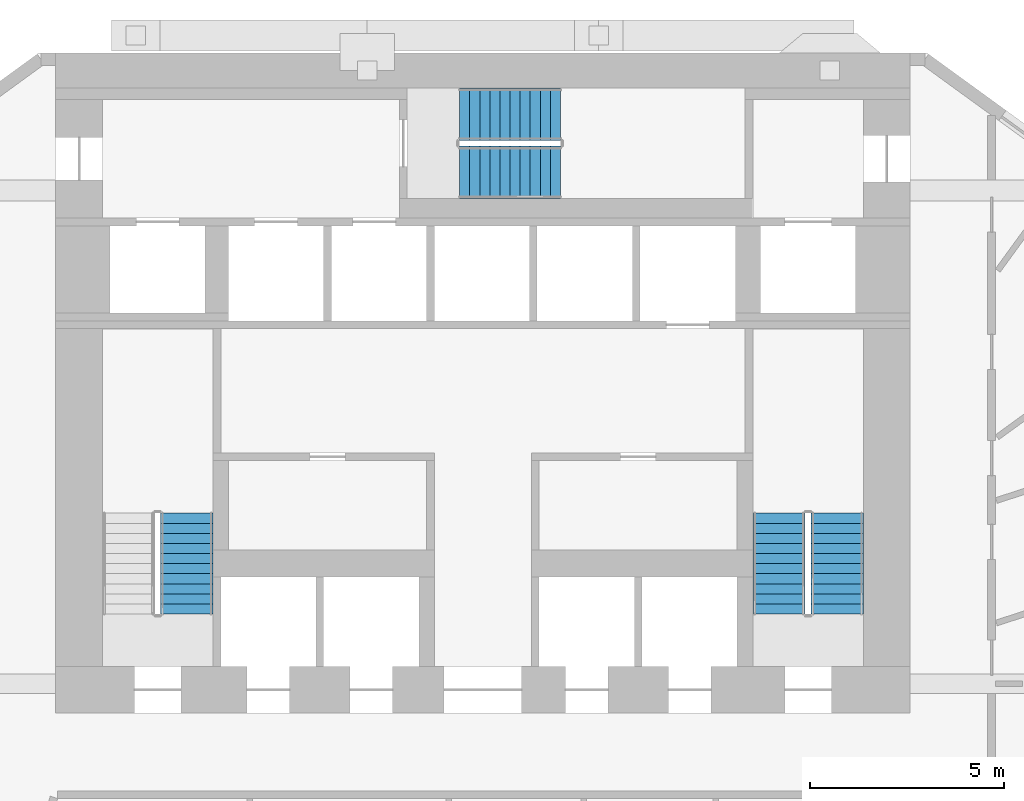
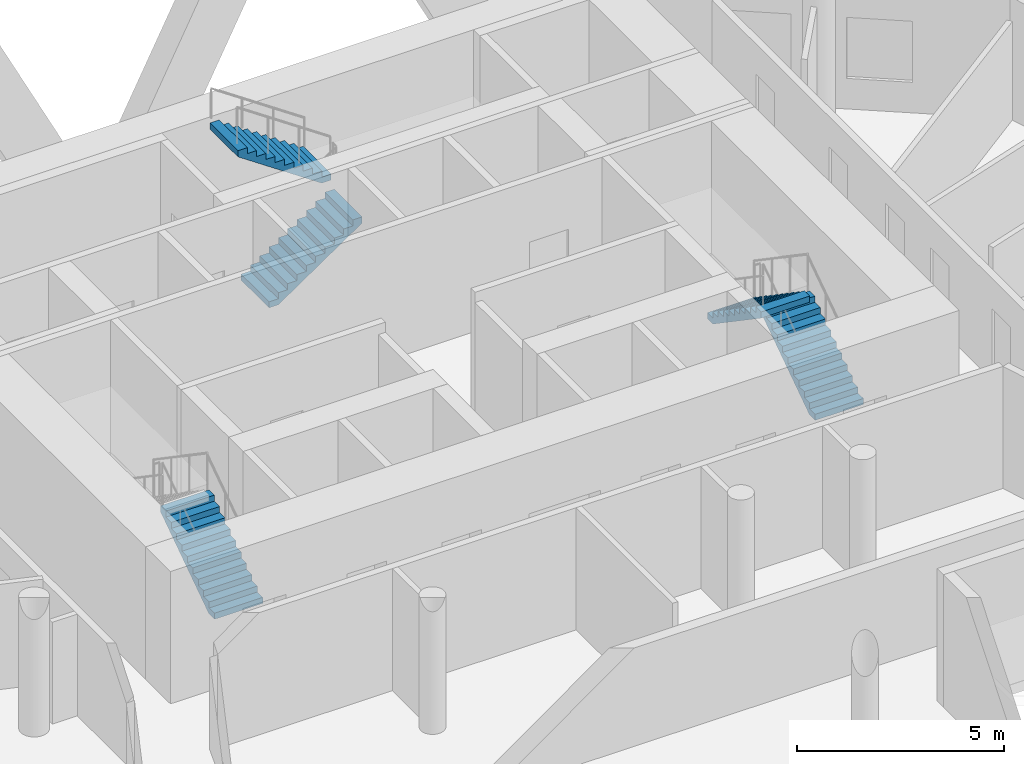
# One storey, part 8 of 10: 5 stair flights, 3 elements without a shape of their own.
"""IFC4 building model written with IfcOpenShell, lengths in metres."""

from ifc_helpers import new_model, si_unit, direction, frame, origin, place, context, subcontext, project, spatial, polyline, outline, extrude, material, layer, layer_set, type_object, element, aggregate, save


model = new_model("IFC4")

# Units and contexts
model_context = context("Model", 3, precision=1e-05, world=origin(), true_north=direction((0.0, 1.0)))
body_context = subcontext(model_context, "Body", "Model", "MODEL_VIEW")
ifc_project = project(units=[si_unit("LENGTHUNIT", "METRE"), si_unit("AREAUNIT", "SQUARE_METRE"), si_unit("VOLUMEUNIT", "CUBIC_METRE"), si_unit("PLANEANGLEUNIT", "RADIAN"), si_unit("MASSUNIT", "GRAM", prefix="KILO")], contexts=[model_context])

# Site, building, storey
site_placement = place(None, origin())
site = spatial("IfcSite", under=ifc_project, at=site_placement, CompositionType="ELEMENT")
building_placement = place(site_placement, origin())
building = spatial("IfcBuilding", under=site, at=building_placement, Name="White Candle Pilgrim Tower", CompositionType="ELEMENT")
storey_placement = place(building_placement, frame((0.0, 0.0, 66.300048828125)))
storey = spatial("IfcBuildingStorey", under=building, at=storey_placement, Name="L13", CompositionType="ELEMENT", Elevation=66.300048828125)

# Stair, stair flight
ifc_material = material(Name="Concrete C40/50", Category="concrete")
stair_type_1 = type_object("IfcStairType", Name="Exit stair 1 flight width 1350 mm", PredefinedType="HALF_TURN_STAIR", material=ifc_material)
stair_1_placement = place(storey_placement, origin())
stair_1 = element("IfcStair", 1, at=stair_1_placement, inside=storey, type_object=stair_type_1, Name="L13 stair 1", PredefinedType="NOTDEFINED")
ifc_layer = layer(ifc_material, 0.14990234375)
ifc_layer_set = layer_set([ifc_layer], Name="Stair flight Concrete C40/50")
stair_flight_type = type_object("IfcStairFlightType", Name="Stair flight Concrete C40/50", PredefinedType="STRAIGHT", material=ifc_layer_set)
stair_flight_1_placement = place(storey_placement, frame((62.375, 73.550048828125, 0.0), z_axis=(0.0, 0.0, 1.0), x_axis=(0.0, 1.0, 0.0)))
stair_flight_1 = element("IfcStairFlight", 2, at=stair_flight_1_placement, type_object=stair_flight_type, Name="ST1 flight 1", NumberOfRisers=11, NumberOfTreads=10, PredefinedType="NOTDEFINED", RiserHeight=0.177272727, TreadLength=0.26, context=body_context, shape_type="SweptSolid", body=[
    extrude(outline(polyline([(0.0, 0.0), (0.0, 0.17724609375), (0.260009765625, 0.17724609375), (0.260009765625, 0.3544921875), (0.52001953125, 0.3544921875), (0.52001953125, 0.53173828125), (0.780029296875, 0.53173828125), (0.780029296875, 0.708984375), (1.0400390625, 0.708984375), (1.0400390625, 0.886474609375), (1.300048828125, 0.886474609375), (1.300048828125, 1.063720703125), (1.56005859375, 1.063720703125), (1.56005859375, 1.240966796875), (1.820068359375, 1.240966796875), (1.820068359375, 1.418212890625), (2.080078125, 1.418212890625), (2.080078125, 1.595458984375), (2.340087890625, 1.595458984375), (2.340087890625, 1.772705078125), (2.60009765625, 1.772705078125), (2.60009765625, 1.949951171875), (2.60009765625, 1.59130859375), (0.26611328125, 0.0), (0.0, 0.0)])), frame((0.0, 0.675048828125, 0.0), z_axis=(0.0, -1.0, 0.0), x_axis=(1.0, 0.0, 0.0)), (0.0, 0.0, 1.0), 1.35009765625),
])
aggregate(stair_1, [stair_flight_1])

# Stair, stair flights
stair_type_2 = type_object("IfcStairType", Name="Exit stair 2 flight width 1350 mm", PredefinedType="HALF_TURN_STAIR", material=ifc_material)
stair_2_placement = place(storey_placement, origin())
stair_2 = element("IfcStair", 3, at=stair_2_placement, inside=storey, type_object=stair_type_2, Name="L13 stair 2", PredefinedType="NOTDEFINED")
stair_flight_2_placement = place(storey_placement, frame((79.125, 73.550048828125, 0.0), z_axis=(0.0, 0.0, 1.0), x_axis=(0.0, 1.0, 0.0)))
stair_flight_2 = element("IfcStairFlight", 4, at=stair_flight_2_placement, type_object=stair_flight_type, Name="ST2 flight 1", NumberOfRisers=11, NumberOfTreads=10, PredefinedType="NOTDEFINED", RiserHeight=0.177272727, TreadLength=0.26, context=body_context, shape_type="SweptSolid", body=[
    extrude(outline(polyline([(0.0, 0.0), (0.0, 0.17724609375), (0.260009765625, 0.17724609375), (0.260009765625, 0.3544921875), (0.52001953125, 0.3544921875), (0.52001953125, 0.53173828125), (0.780029296875, 0.53173828125), (0.780029296875, 0.708984375), (1.0400390625, 0.708984375), (1.0400390625, 0.886474609375), (1.300048828125, 0.886474609375), (1.300048828125, 1.063720703125), (1.56005859375, 1.063720703125), (1.56005859375, 1.240966796875), (1.820068359375, 1.240966796875), (1.820068359375, 1.418212890625), (2.080078125, 1.418212890625), (2.080078125, 1.595458984375), (2.340087890625, 1.595458984375), (2.340087890625, 1.772705078125), (2.60009765625, 1.772705078125), (2.60009765625, 1.949951171875), (2.60009765625, 1.59130859375), (0.26611328125, 0.0), (0.0, 0.0)])), frame((0.0, 0.675048828125, 0.0), z_axis=(0.0, -1.0, 0.0), x_axis=(1.0, 0.0, 0.0)), (0.0, 0.0, 1.0), 1.35009765625),
])
stair_flight_3_placement = place(storey_placement, frame((77.625, 76.14990234375, 1.949951171875), z_axis=(0.0, 0.0, 1.0), x_axis=(0.0, -1.0, 0.0)))
stair_flight_3 = element("IfcStairFlight", 5, at=stair_flight_3_placement, type_object=stair_flight_type, Name="ST2 flight 2", NumberOfRisers=11, NumberOfTreads=10, PredefinedType="NOTDEFINED", RiserHeight=0.177272727, TreadLength=0.26, context=body_context, shape_type="SweptSolid", body=[
    extrude(outline(polyline([(0.0, 0.0), (0.0, 0.17724609375), (0.260009765625, 0.17724609375), (0.260009765625, 0.3544921875), (0.52001953125, 0.3544921875), (0.52001953125, 0.53173828125), (0.780029296875, 0.53173828125), (0.780029296875, 0.708984375), (1.0400390625, 0.708984375), (1.0400390625, 0.886474609375), (1.300048828125, 0.886474609375), (1.300048828125, 1.063720703125), (1.56005859375, 1.063720703125), (1.56005859375, 1.240966796875), (1.820068359375, 1.240966796875), (1.820068359375, 1.418212890625), (2.080078125, 1.418212890625), (2.080078125, 1.595458984375), (2.340087890625, 1.595458984375), (2.340087890625, 1.772705078125), (2.60009765625, 1.772705078125), (2.60009765625, 1.949951171875), (2.60009765625, 1.59130859375), (0.26611328125, 0.0), (0.0, 0.0)])), frame((0.0, 0.675048828125, 0.0), z_axis=(0.0, -1.0, 0.0), x_axis=(1.0, 0.0, 0.0)), (0.0, 0.0, 1.0), 1.35009765625),
])
aggregate(stair_2, [stair_flight_2, stair_flight_3])

stair_type_3 = type_object("IfcStairType", Name="Exit stair 3 flight width 1350 mm", PredefinedType="HALF_TURN_STAIR", material=ifc_material)
stair_3_placement = place(storey_placement, origin())
stair_3 = element("IfcStair", 6, at=stair_3_placement, inside=storey, type_object=stair_type_3, Name="L13 stair 3", PredefinedType="NOTDEFINED")
stair_flight_4_placement = place(storey_placement, frame((69.39990234375, 84.925048828125, 0.0), z_axis=(0.0, 0.0, 1.0), x_axis=(1.0, 0.0, 0.0)))
stair_flight_4 = element("IfcStairFlight", 7, at=stair_flight_4_placement, type_object=stair_flight_type, Name="ST3 flight 1", NumberOfRisers=11, NumberOfTreads=10, PredefinedType="NOTDEFINED", RiserHeight=0.177272727, TreadLength=0.26, context=body_context, shape_type="SweptSolid", body=[
    extrude(outline(polyline([(0.0, 0.0), (0.0, 0.17724609375), (0.260009765625, 0.17724609375), (0.260009765625, 0.3544921875), (0.52001953125, 0.3544921875), (0.52001953125, 0.53173828125), (0.780029296875, 0.53173828125), (0.780029296875, 0.708984375), (1.0400390625, 0.708984375), (1.0400390625, 0.886474609375), (1.300048828125, 0.886474609375), (1.300048828125, 1.063720703125), (1.56005859375, 1.063720703125), (1.56005859375, 1.240966796875), (1.820068359375, 1.240966796875), (1.820068359375, 1.418212890625), (2.080078125, 1.418212890625), (2.080078125, 1.595458984375), (2.340087890625, 1.595458984375), (2.340087890625, 1.772705078125), (2.60009765625, 1.772705078125), (2.60009765625, 1.949951171875), (2.60009765625, 1.59130859375), (0.26611328125, 0.0), (0.0, 0.0)])), frame((0.0, 0.675048828125, 0.0), z_axis=(0.0, -1.0, 0.0), x_axis=(1.0, 0.0, 0.0)), (0.0, 0.0, 1.0), 1.35009765625),
])
stair_flight_5_placement = place(storey_placement, frame((72.0, 86.425048828125, 1.949951171875), z_axis=(0.0, 0.0, 1.0), x_axis=(-1.0, 0.0, 0.0)))
stair_flight_5 = element("IfcStairFlight", 8, at=stair_flight_5_placement, type_object=stair_flight_type, Name="ST3 flight 2", NumberOfRisers=11, NumberOfTreads=10, PredefinedType="NOTDEFINED", RiserHeight=0.177272727, TreadLength=0.26, context=body_context, shape_type="SweptSolid", body=[
    extrude(outline(polyline([(0.0, 0.0), (0.0, 0.17724609375), (0.260009765625, 0.17724609375), (0.260009765625, 0.3544921875), (0.52001953125, 0.3544921875), (0.52001953125, 0.53173828125), (0.780029296875, 0.53173828125), (0.780029296875, 0.708984375), (1.0400390625, 0.708984375), (1.0400390625, 0.886474609375), (1.300048828125, 0.886474609375), (1.300048828125, 1.063720703125), (1.56005859375, 1.063720703125), (1.56005859375, 1.240966796875), (1.820068359375, 1.240966796875), (1.820068359375, 1.418212890625), (2.080078125, 1.418212890625), (2.080078125, 1.595458984375), (2.340087890625, 1.595458984375), (2.340087890625, 1.772705078125), (2.60009765625, 1.772705078125), (2.60009765625, 1.949951171875), (2.60009765625, 1.59130859375), (0.26611328125, 0.0), (0.0, 0.0)])), frame((0.0, 0.675048828125, 0.0), z_axis=(0.0, -1.0, 0.0), x_axis=(1.0, 0.0, 0.0)), (0.0, 0.0, 1.0), 1.35009765625),
])
aggregate(stair_3, [stair_flight_4, stair_flight_5])

save(model, "model.ifc")
